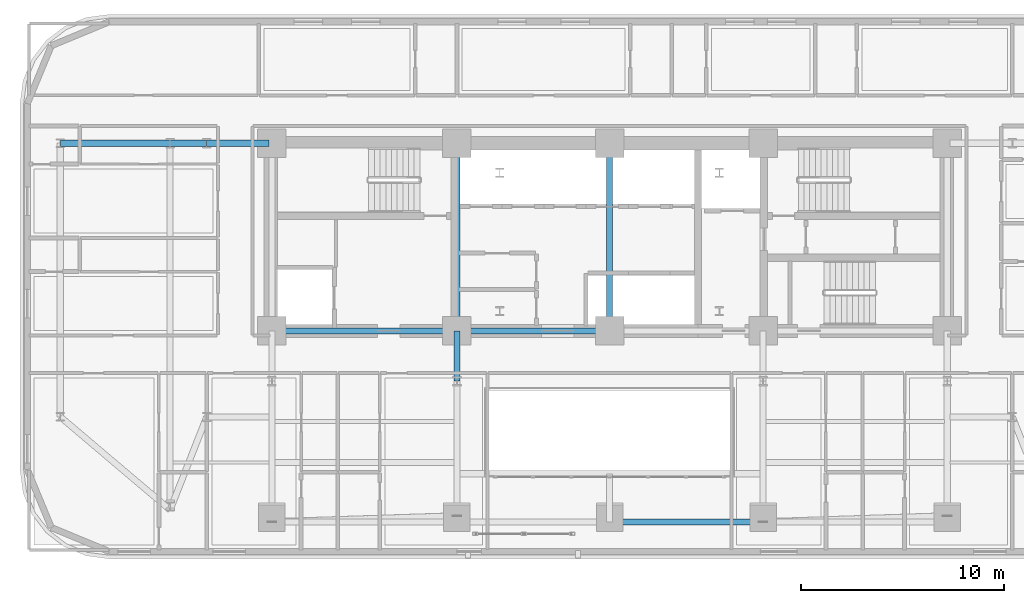
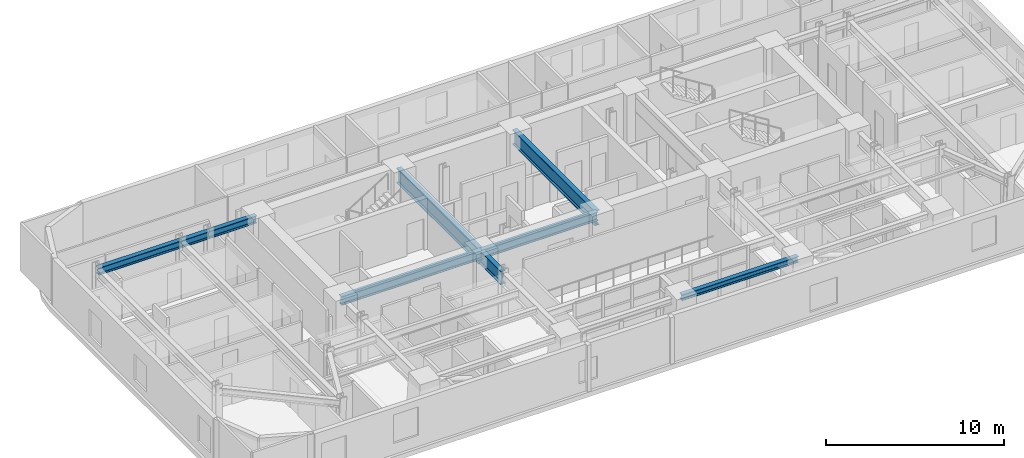
# One storey, part 4 of 16: 9 beams.
"""IFC4 building model written with IfcOpenShell, lengths in metres."""

from ifc_helpers import new_model, si_unit, direction, frame, origin, origin_2d, place, context, subcontext, project, spatial, i_section, extrude, material, material_profile, profile_set, type_object, element, save


model = new_model("IFC4")

# Units and contexts
model_context = context("Model", 3, precision=1e-05, world=origin(), true_north=direction((0.0, 1.0)))
body_context = subcontext(model_context, "Body", "Model", "MODEL_VIEW")
ifc_project = project(units=[si_unit("LENGTHUNIT", "METRE"), si_unit("AREAUNIT", "SQUARE_METRE"), si_unit("VOLUMEUNIT", "CUBIC_METRE"), si_unit("PLANEANGLEUNIT", "RADIAN"), si_unit("MASSUNIT", "GRAM", prefix="KILO")], contexts=[model_context])

# Site, building, storey
site_placement = place(None, origin())
site = spatial("IfcSite", under=ifc_project, at=site_placement, CompositionType="ELEMENT")
building_placement = place(site_placement, origin())
building = spatial("IfcBuilding", under=site, at=building_placement, Name="Zarnavel Station Tower", CompositionType="ELEMENT")
storey_placement = place(building_placement, frame((0.0, 0.0, 82.800048828125)))
storey = spatial("IfcBuildingStorey", under=building, at=storey_placement, Name="L22", CompositionType="ELEMENT", Elevation=82.800048828125)

# Beams
ifc_material_1 = material(Name="Steel S355J2", Category="steel")
ifc_material_profile_1 = material_profile(ifc_material_1, i_section(OverallWidth=0.300048828125, OverallDepth=0.39990234375, WebThickness=0.013427734375, FlangeThickness=0.02392578125, FilletRadius=0.027099609375, at=origin_2d()), Name="HEB400")
ifc_profile_set_1 = profile_set([ifc_material_profile_1], Name="Steel S355J2")
beam_type_1 = type_object("IfcBeamType", Name="EB_HEB400", PredefinedType="SPANDREL", material=ifc_profile_set_1)
beam_1_placement = place(storey_placement, frame((28.800048828125, 18.430908203125, 3.0400390625), z_axis=(1.0, 0.0, 0.0), x_axis=(0.0, 1.0, 0.0)))
element("IfcBeam", 1, at=beam_1_placement, inside=storey, type_object=beam_type_1, Name="L22 South Raked Spandrel 3", PredefinedType="SPANDREL", context=body_context, shape_type="SweptSolid", body=[
    extrude(i_section(OverallWidth=0.300048828125, OverallDepth=0.39990234375, WebThickness=0.013427734375, FlangeThickness=0.02392578125, FilletRadius=0.027099609375, at=origin_2d()), origin(), (0.0, 0.0, 1.0), 7.550048828125),
])
ifc_material_2 = material(Name="Steel S355J2", Category="steel")
ifc_material_profile_2 = material_profile(ifc_material_2, i_section(OverallWidth=0.300048828125, OverallDepth=0.5, WebThickness=0.014404296875, FlangeThickness=0.028076171875, FilletRadius=0.027099609375, at=origin_2d()), Name="HEB500")
ifc_profile_set_2 = profile_set([ifc_material_profile_2], Name="Steel S355J2")
beam_type_2 = type_object("IfcBeamType", Name="FG_HEB500", PredefinedType="USERDEFINED", material=ifc_profile_set_2)
beam_2_placement = place(storey_placement, frame((1.800048828125, 37.050048828125, 2.989990234375), z_axis=(1.0, 0.0, 0.0), x_axis=(0.0, 1.0, 0.0)))
element("IfcBeam", 2, at=beam_2_placement, inside=storey, type_object=beam_type_2, Name="L22 West Wing North Tie 1", ObjectType="GIRDER", PredefinedType="USERDEFINED", context=body_context, shape_type="SweptSolid", body=[
    extrude(i_section(OverallWidth=0.300048828125, OverallDepth=0.5, WebThickness=0.014404296875, FlangeThickness=0.028076171875, FilletRadius=0.027099609375, at=origin_2d()), origin(), (0.0, 0.0, 1.0), 5.39990234375),
])
beam_3_placement = place(storey_placement, frame((7.199951171875, 37.050048828125, 2.989990234375), z_axis=(1.0, 0.0, 0.0), x_axis=(0.0, 1.0, 0.0)))
element("IfcBeam", 3, at=beam_3_placement, inside=storey, type_object=beam_type_2, Name="L22 West Wing North Tie 2", ObjectType="GIRDER", PredefinedType="USERDEFINED", context=body_context, shape_type="SweptSolid", body=[
    extrude(i_section(OverallWidth=0.300048828125, OverallDepth=0.5, WebThickness=0.014404296875, FlangeThickness=0.028076171875, FilletRadius=0.027099609375, at=origin_2d()), origin(), (0.0, 0.0, 1.0), 1.800048828125),
])
beam_4_placement = place(storey_placement, frame((9.0, 37.050048828125, 2.989990234375), z_axis=(1.0, 0.0, 0.0), x_axis=(0.0, 1.0, 0.0)))
element("IfcBeam", 4, at=beam_4_placement, inside=storey, type_object=beam_type_2, Name="L22 West Wing North Tie 3", ObjectType="GIRDER", PredefinedType="USERDEFINED", context=body_context, shape_type="SweptSolid", body=[
    extrude(i_section(OverallWidth=0.300048828125, OverallDepth=0.5, WebThickness=0.014404296875, FlangeThickness=0.028076171875, FilletRadius=0.027099609375, at=origin_2d()), origin(), (0.0, 0.0, 1.0), 3.054931640625),
])
ifc_material_3 = material(Name="Steel S355J2", Category="steel")
ifc_material_profile_3 = material_profile(ifc_material_3, i_section(OverallWidth=0.300048828125, OverallDepth=0.60009765625, WebThickness=0.015380859375, FlangeThickness=0.030029296875, FilletRadius=0.027099609375, at=origin_2d()), Name="HEB600")
ifc_profile_set_3 = profile_set([ifc_material_profile_3], Name="Steel S355J2")
beam_type_3 = type_object("IfcBeamType", Name="FG_HEB600", PredefinedType="USERDEFINED", material=ifc_profile_set_3)
beam_5_placement = place(storey_placement, frame((12.199951171875, 27.820068359375, 2.93994140625), z_axis=(1.0, 0.0, 0.0), x_axis=(0.0, 1.0, 0.0)))
element("IfcBeam", 5, at=beam_5_placement, inside=storey, type_object=beam_type_3, Name="L22 Core Front Coupling Beam 1", ObjectType="GIRDER", PredefinedType="USERDEFINED", context=body_context, shape_type="SweptSolid", body=[
    extrude(i_section(OverallWidth=0.300048828125, OverallDepth=0.60009765625, WebThickness=0.015380859375, FlangeThickness=0.030029296875, FilletRadius=0.027099609375, at=origin_2d()), origin(), (0.0, 0.0, 1.0), 9.10009765625),
])
beam_6_placement = place(storey_placement, frame((21.300048828125, 27.820068359375, 2.93994140625), z_axis=(1.0, 0.0, 0.0), x_axis=(0.0, 1.0, 0.0)))
element("IfcBeam", 6, at=beam_6_placement, inside=storey, type_object=beam_type_3, Name="L22 Core Front Coupling Beam 2", ObjectType="GIRDER", PredefinedType="USERDEFINED", context=body_context, shape_type="SweptSolid", body=[
    extrude(i_section(OverallWidth=0.300048828125, OverallDepth=0.60009765625, WebThickness=0.015380859375, FlangeThickness=0.030029296875, FilletRadius=0.027099609375, at=origin_2d()), origin(), (0.0, 0.0, 1.0), 7.5),
])
ifc_material_4 = material(Name="Steel S460M", Category="steel")
ifc_material_profile_4 = material_profile(ifc_material_4, i_section(OverallWidth=0.302001953125, OverallDepth=1.008056640625, WebThickness=0.02099609375, FlangeThickness=0.0400390625, FilletRadius=0.030029296875, at=origin_2d()), Name="HEM1000")
ifc_profile_set_4 = profile_set([ifc_material_profile_4], Name="Steel S460M")
beam_type_4 = type_object("IfcBeamType", Name="TG_HEM1000", PredefinedType="USERDEFINED", material=ifc_profile_set_4)
for number, where, z_axis, x_axis, name in (
    (7, (21.300048828125, 27.820068359375, 2.73583984375), (0.0, 1.0, 0.0), (-1.0, 0.0, 0.0), "L22 Core Spine Coupling Girder 2"),
    (8, (28.800048828125, 27.820068359375, 2.73583984375), (0.0, 1.0, 0.0), (-1.0, 0.0, 0.0), "L22 Core Spine Coupling Girder 3"),
):
    element("IfcBeam", number, at=place(storey_placement, frame(where, z_axis=z_axis, x_axis=x_axis)), inside=storey, type_object=beam_type_4, Name=name, ObjectType="GIRDER", PredefinedType="USERDEFINED", context=body_context, shape_type="SweptSolid", body=[
        extrude(i_section(OverallWidth=0.302001953125, OverallDepth=1.008056640625, WebThickness=0.02099609375, FlangeThickness=0.0400390625, FilletRadius=0.030029296875, at=origin_2d()), origin(), (0.0, 0.0, 1.0), 9.22998046875),
    ])
ifc_material_5 = material(Name="Steel S460M", Category="steel")
ifc_material_profile_5 = material_profile(ifc_material_5, i_section(OverallWidth=0.302001953125, OverallDepth=0.909912109375, WebThickness=0.02099609375, FlangeThickness=0.0400390625, FilletRadius=0.030029296875, at=origin_2d()), Name="HEM900")
ifc_profile_set_5 = profile_set([ifc_material_profile_5], Name="Steel S460M")
beam_type_5 = type_object("IfcBeamType", Name="TG_HEM900", PredefinedType="USERDEFINED", material=ifc_profile_set_5)
beam_7_placement = place(storey_placement, frame((21.300048828125, 25.35009765625, 2.784912109375), z_axis=(0.0, 1.0, 0.0), x_axis=(-1.0, 0.0, 0.0)))
element("IfcBeam", 9, at=beam_7_placement, inside=storey, type_object=beam_type_5, Name="L22 Inner-Zone NS Girder 2", ObjectType="GIRDER", PredefinedType="USERDEFINED", context=body_context, shape_type="SweptSolid", body=[
    extrude(i_section(OverallWidth=0.302001953125, OverallDepth=0.909912109375, WebThickness=0.02099609375, FlangeThickness=0.0400390625, FilletRadius=0.030029296875, at=origin_2d()), origin(), (0.0, 0.0, 1.0), 2.469970703125),
])

save(model, "model.ifc")
